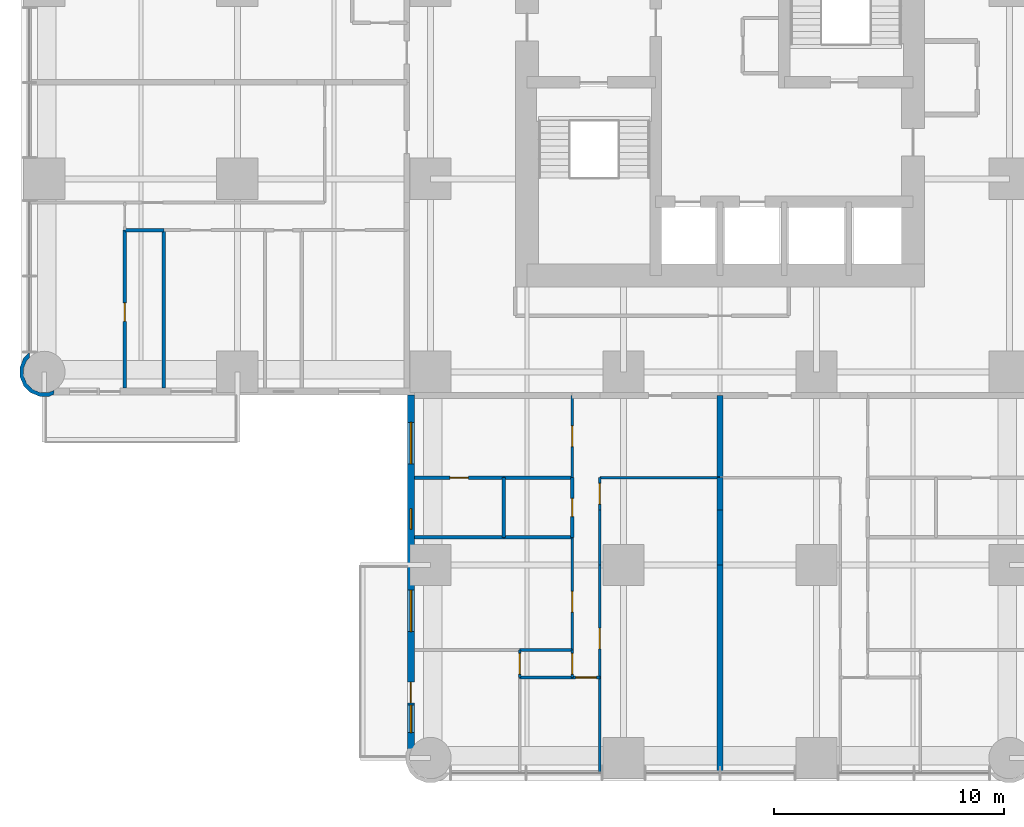
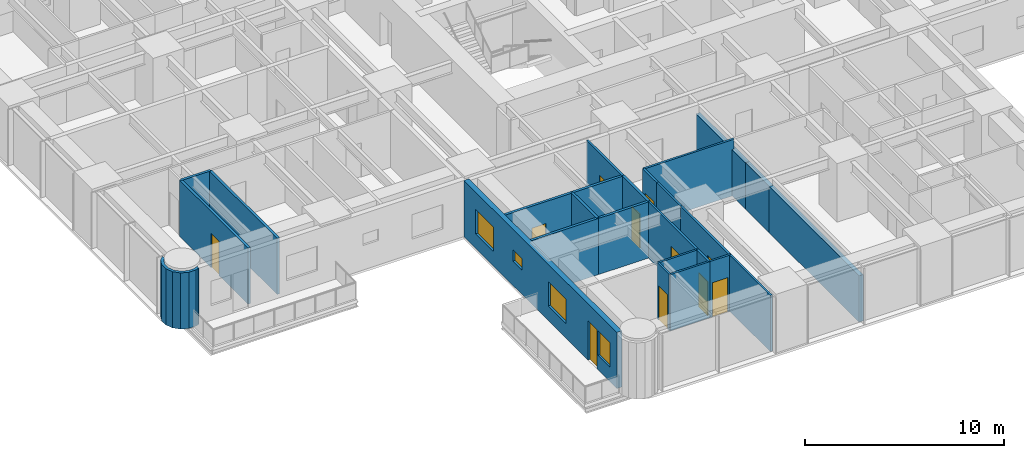
# One storey, part 7 of 17: 27 walls, 11 doors, 4 windows, 15 openings.
"""IFC4 building model written with IfcOpenShell, lengths in metres."""

from ifc_helpers import new_model, si_unit, direction, frame, frame_2d, origin, place, context, subcontext, project, spatial, polyline, rectangle, outline, extrude, material, layer, layer_set, type_object, element, fill, save


model = new_model("IFC4")

# Units and contexts
model_context = context("Model", 3, precision=1e-05, world=origin(), true_north=direction((0.0, 1.0)))
body_context = subcontext(model_context, "Body", "Model", "MODEL_VIEW")
ifc_project = project(units=[si_unit("LENGTHUNIT", "METRE"), si_unit("AREAUNIT", "SQUARE_METRE"), si_unit("VOLUMEUNIT", "CUBIC_METRE"), si_unit("PLANEANGLEUNIT", "RADIAN"), si_unit("MASSUNIT", "GRAM", prefix="KILO")], contexts=[model_context])

# Site, building, storey
site_placement = place(None, origin())
site = spatial("IfcSite", under=ifc_project, at=site_placement, CompositionType="ELEMENT")
building_placement = place(site_placement, origin())
building = spatial("IfcBuilding", under=site, at=building_placement, Name="Torre Alcanfor", CompositionType="ELEMENT")
storey_placement = place(building_placement, frame((0.0, 0.0, 38.10009765625)))
storey = spatial("IfcBuildingStorey", under=building, at=storey_placement, Name="L08", CompositionType="ELEMENT", Elevation=38.10009765625)

# Wall
ifc_material_1 = material(Name="Gypsum board on steel studs", Category="steel")
ifc_layer_1 = layer(ifc_material_1, 0.1201171875)
ifc_layer_set_1 = layer_set([ifc_layer_1], Name="Apartment partition 120")
wall_type_1 = type_object("IfcWallType", Name="Apartment partition 120", PredefinedType="PARTITIONING", material=ifc_layer_set_1)
wall_1_placement = place(storey_placement, frame((29.39990234375, 12.199951171875, 0.0), z_axis=(0.0, 0.0, 1.0), x_axis=(-1.0, 0.0, 0.0)))
element("IfcWall", 1, at=wall_1_placement, inside=storey, type_object=wall_type_1, Name="Partition L08-S2-ZAG / L08-S2-LAUND", PredefinedType="PARTITIONING", context=body_context, shape_type="SweptSolid", body=[
    extrude(rectangle(XDim=5.22900390625, YDim=0.1201171875, at=frame_2d((2.614501953125, 0.0))), origin(), (0.0, 0.0, 1.0), 3.449951171875),
])

# Wall, opening, door
wall_2_placement = place(storey_placement, frame((24.1708984375, 10.800048828125, 0.0), z_axis=(0.0, 0.0, 1.0), x_axis=(0.0, 1.0, 0.0)))
wall_2 = element("IfcWall", 2, at=wall_2_placement, inside=storey, type_object=wall_type_1, Name="Partition L08-S2-LAUND / L08-S2-HALL", PredefinedType="PARTITIONING", context=body_context, shape_type="SweptSolid", body=[
    extrude(rectangle(XDim=1.39990234375, YDim=0.1201171875, at=frame_2d((0.699951171875, 0.0))), origin(), (0.0, 0.0, 1.0), 3.449951171875),
])
opening_1_placement = place(wall_2_placement, frame((0.25, 0.0, 0.0)))
opening_1 = element("IfcOpeningElement", 3, at=opening_1_placement, cuts=wall_2, Name="Opening D-R1", PredefinedType="OPENING", context=body_context, shape_type="SweptSolid", body=[
    extrude(rectangle(XDim=0.89990234375, YDim=2.10009765625, at=frame_2d((0.449951171875, 1.050048828125))), frame((0.0, 0.070068359375, 0.0), z_axis=(0.0, -1.0, 0.0), x_axis=(1.0, 0.0, 0.0)), (0.0, 0.0, 1.0), 0.14013671875),
])
ifc_material_2 = material(Name="Timber", Category="wood")
door_type_1 = type_object("IfcDoorType", Name="Internal door 900x2100", OperationType="SINGLE_SWING_LEFT", PredefinedType="DOOR", material=ifc_material_2)
door_1_placement = place(opening_1_placement, frame((0.89990234375, 0.0, 0.0), z_axis=(0.0, 0.0, 1.0), x_axis=(-1.0, 0.0, 0.0)))
door_1 = element("IfcDoor", 4, at=door_1_placement, inside=storey, type_object=door_type_1, Name="Door L08-S2 laund", OperationType="SINGLE_SWING_RIGHT", OverallHeight=2.10009765625, OverallWidth=0.89990234375, PredefinedType="DOOR", context=body_context, shape_type="SweptSolid", body=[
    extrude(rectangle(XDim=0.89990234375, YDim=2.10009765625, at=frame_2d((0.449951171875, 1.050048828125))), frame((0.0, 0.025146484375, 0.0), z_axis=(0.0, -1.0, 0.0), x_axis=(1.0, 0.0, 0.0)), (0.0, 0.0, 1.0), 0.050048828125),
])
fill(opening_1, door_1)

# Wall
wall_3_placement = place(storey_placement, frame((24.1708984375, 8.39990234375, 0.0), z_axis=(0.0, 0.0, 1.0), x_axis=(0.0, 1.0, 0.0)))
element("IfcWall", 5, at=wall_3_placement, inside=storey, type_object=wall_type_1, Name="Partition L08-S2-KITCHEN / L08-S2-HALL", PredefinedType="PARTITIONING", context=body_context, shape_type="SweptSolid", body=[
    extrude(rectangle(XDim=2.400146484375, YDim=0.1201171875, at=frame_2d((1.2001953125, 0.0))), origin(), (0.0, 0.0, 1.0), 3.449951171875),
])

# Wall, opening, door
wall_4_placement = place(storey_placement, frame((24.1708984375, 3.5, 0.0), z_axis=(0.0, 0.0, 1.0), x_axis=(0.0, 1.0, 0.0)))
wall_4 = element("IfcWall", 6, at=wall_4_placement, inside=storey, type_object=wall_type_1, Name="Partition L08-S2-LIVING / L08-S2-HALL", PredefinedType="PARTITIONING", context=body_context, shape_type="SweptSolid", body=[
    extrude(rectangle(XDim=4.89990234375, YDim=0.1201171875, at=frame_2d((2.449951171875, 0.0))), origin(), (0.0, 0.0, 1.0), 3.449951171875),
])
opening_2_placement = place(wall_4_placement, frame((1.25, 0.0, 0.0)))
opening_2 = element("IfcOpeningElement", 7, at=opening_2_placement, cuts=wall_4, Name="Opening D-R1", PredefinedType="OPENING", context=body_context, shape_type="SweptSolid", body=[
    extrude(rectangle(XDim=0.89990234375, YDim=2.10009765625, at=frame_2d((0.449951171875, 1.050048828125))), frame((0.0, 0.070068359375, 0.0), z_axis=(0.0, -1.0, 0.0), x_axis=(1.0, 0.0, 0.0)), (0.0, 0.0, 1.0), 0.14013671875),
])
door_2_placement = place(opening_2_placement, frame((0.89990234375, 0.0, 0.0), z_axis=(0.0, 0.0, 1.0), x_axis=(-1.0, 0.0, 0.0)))
door_2 = element("IfcDoor", 8, at=door_2_placement, inside=storey, type_object=door_type_1, Name="Door L08-S2 living", OperationType="SINGLE_SWING_LEFT", OverallHeight=2.10009765625, OverallWidth=0.89990234375, PredefinedType="DOOR", context=body_context, shape_type="SweptSolid", body=[
    extrude(rectangle(XDim=0.89990234375, YDim=2.10009765625, at=frame_2d((0.449951171875, 1.050048828125))), frame((0.0, 0.025146484375, 0.0), z_axis=(0.0, -1.0, 0.0), x_axis=(1.0, 0.0, 0.0)), (0.0, 0.0, 1.0), 0.050048828125),
])
fill(opening_2, door_2)

# Wall
wall_5_placement = place(storey_placement, frame((24.1708984375, -0.64990234375, 0.0), z_axis=(0.0, 0.0, 1.0), x_axis=(0.0, 1.0, 0.0)))
element("IfcWall", 9, at=wall_5_placement, inside=storey, type_object=wall_type_1, Name="Partition L08-S2-LIVING / L08-S2-BED2", PredefinedType="PARTITIONING", context=body_context, shape_type="SweptSolid", body=[
    extrude(rectangle(XDim=4.14990234375, YDim=0.1201171875, at=frame_2d((2.074951171875, 0.0))), origin(), (0.0, 0.0, 1.0), 3.449951171875),
])

# Wall, opening, door
wall_6_placement = place(storey_placement, frame((22.970947265625, 12.199951171875, 0.0), z_axis=(0.0, 0.0, 1.0), x_axis=(0.0, 1.0, 0.0)))
wall_6 = element("IfcWall", 10, at=wall_6_placement, inside=storey, type_object=wall_type_1, Name="Partition L08-S2-HALL / L08-S2-SERV", PredefinedType="PARTITIONING", context=body_context, shape_type="SweptSolid", body=[
    extrude(rectangle(XDim=3.574951171875, YDim=0.1201171875, at=frame_2d((1.78759765625, 0.0))), origin(), (0.0, 0.0, 1.0), 3.449951171875),
])
opening_3_placement = place(wall_6_placement, frame((1.35009765625, 0.0, 0.0)))
opening_3 = element("IfcOpeningElement", 11, at=opening_3_placement, cuts=wall_6, Name="Opening D-R1", PredefinedType="OPENING", context=body_context, shape_type="SweptSolid", body=[
    extrude(rectangle(XDim=0.89990234375, YDim=2.10009765625, at=frame_2d((0.449951171875, 1.050048828125))), frame((0.0, 0.070068359375, 0.0), z_axis=(0.0, -1.0, 0.0), x_axis=(1.0, 0.0, 0.0)), (0.0, 0.0, 1.0), 0.14013671875),
])
door_3_placement = place(opening_3_placement, origin())
door_3 = element("IfcDoor", 12, at=door_3_placement, inside=storey, type_object=door_type_1, Name="Door L08-S2 serv", OperationType="SINGLE_SWING_RIGHT", OverallHeight=2.10009765625, OverallWidth=0.89990234375, PredefinedType="DOOR", context=body_context, shape_type="SweptSolid", body=[
    extrude(rectangle(XDim=0.89990234375, YDim=2.10009765625, at=frame_2d((0.449951171875, 1.050048828125))), frame((0.0, 0.02490234375, 0.0), z_axis=(0.0, -1.0, 0.0), x_axis=(1.0, 0.0, 0.0)), (0.0, 0.0, 1.0), 0.050048828125),
])
fill(opening_3, door_3)

wall_7_placement = place(storey_placement, frame((22.970947265625, 4.699951171875, 0.0), z_axis=(0.0, 0.0, 1.0), x_axis=(0.0, 1.0, 0.0)))
wall_7 = element("IfcWall", 13, at=wall_7_placement, inside=storey, type_object=wall_type_1, Name="Partition L08-S2-HALL / L08-S2-BED3", PredefinedType="PARTITIONING", context=body_context, shape_type="SweptSolid", body=[
    extrude(rectangle(XDim=4.900146484375, YDim=0.1201171875, at=frame_2d((2.4501953125, 0.0))), origin(), (0.0, 0.0, 1.0), 3.449951171875),
])
opening_4_placement = place(wall_7_placement, frame((1.64990234375, 0.0, 0.0)))
opening_4 = element("IfcOpeningElement", 14, at=opening_4_placement, cuts=wall_7, Name="Opening D-R1", PredefinedType="OPENING", context=body_context, shape_type="SweptSolid", body=[
    extrude(rectangle(XDim=0.89990234375, YDim=2.10009765625, at=frame_2d((0.449951171875, 1.050048828125))), frame((0.0, 0.070068359375, 0.0), z_axis=(0.0, -1.0, 0.0), x_axis=(1.0, 0.0, 0.0)), (0.0, 0.0, 1.0), 0.14013671875),
])
door_4_placement = place(opening_4_placement, origin())
door_4 = element("IfcDoor", 15, at=door_4_placement, inside=storey, type_object=door_type_1, Name="Door L08-S2 bed3", OperationType="SINGLE_SWING_LEFT", OverallHeight=2.10009765625, OverallWidth=0.89990234375, PredefinedType="DOOR", context=body_context, shape_type="SweptSolid", body=[
    extrude(rectangle(XDim=0.89990234375, YDim=2.10009765625, at=frame_2d((0.449951171875, 1.050048828125))), frame((0.0, 0.02490234375, 0.0), z_axis=(0.0, -1.0, 0.0), x_axis=(1.0, 0.0, 0.0)), (0.0, 0.0, 1.0), 0.050048828125),
])
fill(opening_4, door_4)

wall_8_placement = place(storey_placement, frame((22.970947265625, 3.5, 0.0), z_axis=(0.0, 0.0, 1.0), x_axis=(0.0, 1.0, 0.0)))
wall_8 = element("IfcWall", 16, at=wall_8_placement, inside=storey, type_object=wall_type_1, Name="Partition L08-S2-HALL / L08-S2-VEST", PredefinedType="PARTITIONING", context=body_context, shape_type="SweptSolid", body=[
    extrude(rectangle(XDim=1.199951171875, YDim=0.1201171875, at=frame_2d((0.60009765625, 0.0))), origin(), (0.0, 0.0, 1.0), 3.449951171875),
])
opening_5_placement = place(wall_8_placement, frame((0.14990234375, 0.0, 0.0)))
opening_5 = element("IfcOpeningElement", 17, at=opening_5_placement, cuts=wall_8, Name="Opening D-R1", PredefinedType="OPENING", context=body_context, shape_type="SweptSolid", body=[
    extrude(rectangle(XDim=0.89990234375, YDim=2.10009765625, at=frame_2d((0.449951171875, 1.050048828125))), frame((0.0, 0.070068359375, 0.0), z_axis=(0.0, -1.0, 0.0), x_axis=(1.0, 0.0, 0.0)), (0.0, 0.0, 1.0), 0.14013671875),
])
door_5_placement = place(opening_5_placement, origin())
door_5 = element("IfcDoor", 18, at=door_5_placement, inside=storey, type_object=door_type_1, Name="Door L08-S2 vest", OperationType="SINGLE_SWING_LEFT", OverallHeight=2.10009765625, OverallWidth=0.89990234375, PredefinedType="DOOR", context=body_context, shape_type="SweptSolid", body=[
    extrude(rectangle(XDim=0.89990234375, YDim=2.10009765625, at=frame_2d((0.449951171875, 1.050048828125))), frame((0.0, 0.02490234375, 0.0), z_axis=(0.0, -1.0, 0.0), x_axis=(1.0, 0.0, 0.0)), (0.0, 0.0, 1.0), 0.050048828125),
])
fill(opening_5, door_5)

wall_9_placement = place(storey_placement, frame((24.1708984375, 3.5, 0.0), z_axis=(0.0, 0.0, 1.0), x_axis=(-1.0, 0.0, 0.0)))
wall_9 = element("IfcWall", 19, at=wall_9_placement, inside=storey, type_object=wall_type_1, Name="Partition L08-S2-HALL / L08-S2-BED2", PredefinedType="PARTITIONING", context=body_context, shape_type="SweptSolid", body=[
    extrude(rectangle(XDim=1.199951171875, YDim=0.1201171875, at=frame_2d((0.60009765625, 0.0))), origin(), (0.0, 0.0, 1.0), 3.449951171875),
])
opening_6_placement = place(wall_9_placement, frame((0.15087890625, 0.0, 0.0)))
opening_6 = element("IfcOpeningElement", 20, at=opening_6_placement, cuts=wall_9, Name="Opening D-R1", PredefinedType="OPENING", context=body_context, shape_type="SweptSolid", body=[
    extrude(rectangle(XDim=0.89990234375, YDim=2.10009765625, at=frame_2d((0.449951171875, 1.050048828125))), frame((0.0, 0.070068359375, 0.0), z_axis=(0.0, -1.0, 0.0), x_axis=(1.0, 0.0, 0.0)), (0.0, 0.0, 1.0), 0.14013671875),
])
door_6_placement = place(opening_6_placement, origin())
door_6 = element("IfcDoor", 21, at=door_6_placement, inside=storey, type_object=door_type_1, Name="Door L08-S2 bed2", OperationType="SINGLE_SWING_LEFT", OverallHeight=2.10009765625, OverallWidth=0.89990234375, PredefinedType="DOOR", context=body_context, shape_type="SweptSolid", body=[
    extrude(rectangle(XDim=0.89990234375, YDim=2.10009765625, at=frame_2d((0.449951171875, 1.050048828125))), frame((0.0, 0.02490234375, 0.0), z_axis=(0.0, -1.0, 0.0), x_axis=(1.0, 0.0, 0.0)), (0.0, 0.0, 1.0), 0.050048828125),
])
fill(opening_6, door_6)

# Walls
for number, where, z_axis, x_axis, name in (
    (22, (22.970947265625, 4.699951171875, 0.0), (0.0, 0.0, 1.0), (-1.0, 0.0, 0.0), "Partition L08-S2-BED3 / L08-S2-VEST"),
    (23, (22.970947265625, 3.5, 0.0), (0.0, 0.0, 1.0), (-1.0, 0.0, 0.0), "Partition L08-S2-VEST / L08-S2-BED2"),
):
    element("IfcWall", number, at=place(storey_placement, frame(where, z_axis=z_axis, x_axis=x_axis)), inside=storey, type_object=wall_type_1, Name=name, PredefinedType="PARTITIONING", context=body_context, shape_type="SweptSolid", body=[
        extrude(rectangle(XDim=2.284912109375, YDim=0.1201171875, at=frame_2d((1.142578125, 0.0))), origin(), (0.0, 0.0, 1.0), 3.449951171875),
    ])

# Wall, opening, door
wall_10_placement = place(storey_placement, frame((20.68603515625, 3.5, 0.0), z_axis=(0.0, 0.0, 1.0), x_axis=(0.0, 1.0, 0.0)))
wall_10 = element("IfcWall", 24, at=wall_10_placement, inside=storey, type_object=wall_type_1, Name="Partition L08-S2-VEST / L08-S2-MASTER", PredefinedType="PARTITIONING", context=body_context, shape_type="SweptSolid", body=[
    extrude(rectangle(XDim=1.199951171875, YDim=0.1201171875, at=frame_2d((0.60009765625, 0.0))), origin(), (0.0, 0.0, 1.0), 3.449951171875),
])
opening_7_placement = place(wall_10_placement, frame((0.14990234375, 0.0, 0.0)))
opening_7 = element("IfcOpeningElement", 25, at=opening_7_placement, cuts=wall_10, Name="Opening D-R1", PredefinedType="OPENING", context=body_context, shape_type="SweptSolid", body=[
    extrude(rectangle(XDim=0.89990234375, YDim=2.10009765625, at=frame_2d((0.449951171875, 1.050048828125))), frame((0.0, 0.070068359375, 0.0), z_axis=(0.0, -1.0, 0.0), x_axis=(1.0, 0.0, 0.0)), (0.0, 0.0, 1.0), 0.14013671875),
])
door_7_placement = place(opening_7_placement, frame((0.89990234375, 0.0, 0.0), z_axis=(0.0, 0.0, 1.0), x_axis=(-1.0, 0.0, 0.0)))
door_7 = element("IfcDoor", 26, at=door_7_placement, inside=storey, type_object=door_type_1, Name="Door L08-S2 master", OperationType="SINGLE_SWING_RIGHT", OverallHeight=2.10009765625, OverallWidth=0.89990234375, PredefinedType="DOOR", context=body_context, shape_type="SweptSolid", body=[
    extrude(rectangle(XDim=0.89990234375, YDim=2.10009765625, at=frame_2d((0.449951171875, 1.050048828125))), frame((0.0, 0.025146484375, 0.0), z_axis=(0.0, -1.0, 0.0), x_axis=(1.0, 0.0, 0.0)), (0.0, 0.0, 1.0), 0.050048828125),
])
fill(opening_7, door_7)

# Wall, openings, door, windows
ifc_material_3 = material(Name="Limestone cladding", Category="masonry")
ifc_layer_2 = layer(ifc_material_3, 0.0400390625, Name="Facing")
ifc_material_4 = material(Name="Ventilated air cavity")
ifc_layer_3 = layer(ifc_material_4, 0.02001953125, ventilated=True, Name="Ventilated joint")
ifc_material_5 = material(Name="Mineral wool insulation", Category="insulation")
ifc_layer_4 = layer(ifc_material_5, 0.10009765625, Name="Insulation")
ifc_material_6 = material(Name="Concrete f'c 35 MPa", Category="concrete")
ifc_layer_5 = layer(ifc_material_6, 0.139892578125, Name="Backing")
ifc_layer_set_2 = layer_set([ifc_layer_2, ifc_layer_3, ifc_layer_4, ifc_layer_5], Name="External wall stone-clad 300")
wall_type_2 = type_object("IfcWallType", Name="External wall stone-clad 300", PredefinedType="SOLIDWALL", material=ifc_layer_set_2)
wall_11_placement = place(storey_placement, frame((15.949951171875, 15.800048828125, 0.0), z_axis=(0.0, 0.0, 1.0), x_axis=(0.0, -1.0, 0.0)))
wall_11 = element("IfcWall", 27, at=wall_11_placement, inside=storey, type_object=wall_type_2, Name="External wall L08 4", PredefinedType="SOLIDWALL", context=body_context, shape_type="SweptSolid", body=[
    extrude(rectangle(XDim=15.400146484375, YDim=0.300048828125, at=frame_2d((7.7001953125, 0.0))), origin(), (0.0, 0.0, 1.0), 3.449951171875),
])
opening_8_placement = place(wall_11_placement, frame((1.199951171875, 0.0, 0.89990234375)))
opening_8 = element("IfcOpeningElement", 28, at=opening_8_placement, cuts=wall_11, Name="Opening W2", PredefinedType="OPENING", context=body_context, shape_type="SweptSolid", body=[
    extrude(rectangle(XDim=1.800048828125, YDim=1.5, at=frame_2d((0.89990234375, 0.75))), frame((0.0, 0.159912109375, 0.0), z_axis=(0.0, -1.0, 0.0), x_axis=(1.0, 0.0, 0.0)), (0.0, 0.0, 1.0), 0.320068359375),
])
opening_9_placement = place(wall_11_placement, frame((4.949951171875, 0.0, 1.5)))
opening_9 = element("IfcOpeningElement", 29, at=opening_9_placement, cuts=wall_11, Name="Opening W3", PredefinedType="OPENING", context=body_context, shape_type="SweptSolid", body=[
    extrude(rectangle(XDim=0.89990234375, YDim=0.699951171875, at=frame_2d((0.449951171875, 0.35009765625))), frame((0.0, 0.159912109375, 0.0), z_axis=(0.0, -1.0, 0.0), x_axis=(1.0, 0.0, 0.0)), (0.0, 0.0, 1.0), 0.320068359375),
])
opening_10_placement = place(wall_11_placement, frame((8.5, 0.0, 0.89990234375)))
opening_10 = element("IfcOpeningElement", 30, at=opening_10_placement, cuts=wall_11, Name="Opening W2", PredefinedType="OPENING", context=body_context, shape_type="SweptSolid", body=[
    extrude(rectangle(XDim=1.800048828125, YDim=1.5, at=frame_2d((0.89990234375, 0.75))), frame((0.0, 0.159912109375, 0.0), z_axis=(0.0, -1.0, 0.0), x_axis=(1.0, 0.0, 0.0)), (0.0, 0.0, 1.0), 0.320068359375),
])
opening_11_placement = place(wall_11_placement, frame((12.5, 0.0, 0.0)))
opening_11 = element("IfcOpeningElement", 31, at=opening_11_placement, cuts=wall_11, Name="Opening D-B1", PredefinedType="OPENING", context=body_context, shape_type="SweptSolid", body=[
    extrude(rectangle(XDim=0.89990234375, YDim=2.39990234375, at=frame_2d((0.449951171875, 1.199951171875))), frame((0.0, 0.159912109375, 0.0), z_axis=(0.0, -1.0, 0.0), x_axis=(1.0, 0.0, 0.0)), (0.0, 0.0, 1.0), 0.320068359375),
])
opening_12_placement = place(wall_11_placement, frame((13.5, 0.0, 0.89990234375)))
opening_12 = element("IfcOpeningElement", 32, at=opening_12_placement, cuts=wall_11, Name="Opening W4", PredefinedType="OPENING", context=body_context, shape_type="SweptSolid", body=[
    extrude(rectangle(XDim=1.199951171875, YDim=1.5, at=frame_2d((0.60009765625, 0.75))), frame((0.0, 0.159912109375, 0.0), z_axis=(0.0, -1.0, 0.0), x_axis=(1.0, 0.0, 0.0)), (0.0, 0.0, 1.0), 0.320068359375),
])
ifc_material_7 = material(Name="Aluminium and glass", Category="aluminium")
door_type_2 = type_object("IfcDoorType", Name="Balcony door glazed 900x2400", OperationType="SINGLE_SWING_LEFT", PredefinedType="DOOR", material=ifc_material_7)
door_8_placement = place(opening_11_placement, origin())
door_8 = element("IfcDoor", 33, at=door_8_placement, inside=storey, type_object=door_type_2, Name="Balcony door L08-S2", OperationType="SINGLE_SWING_LEFT", OverallHeight=2.39990234375, OverallWidth=0.89990234375, PredefinedType="DOOR", context=body_context, shape_type="SweptSolid", body=[
    extrude(rectangle(XDim=0.89990234375, YDim=2.39990234375, at=frame_2d((0.449951171875, 1.199951171875))), frame((0.0, 0.02490234375, 0.0), z_axis=(0.0, -1.0, 0.0), x_axis=(1.0, 0.0, 0.0)), (0.0, 0.0, 1.0), 0.050048828125),
])
fill(opening_11, door_8)
ifc_material_8 = material(Name="Aluminium frame with clear double glazing", Category="aluminium")
window_type_1 = type_object("IfcWindowType", Name="Window bathroom 900x700", PartitioningType="SINGLE_PANEL", PredefinedType="WINDOW", material=ifc_material_8)
window_1_placement = place(opening_9_placement, origin())
window_1 = element("IfcWindow", 34, at=window_1_placement, inside=storey, type_object=window_type_1, Name="Window W3 L08-S2", OverallHeight=0.699951171875, OverallWidth=0.89990234375, PartitioningType="SINGLE_PANEL", PredefinedType="WINDOW", context=body_context, shape_type="SweptSolid", body=[
    extrude(rectangle(XDim=0.89990234375, YDim=0.699951171875, at=frame_2d((0.449951171875, 0.35009765625))), frame((0.0, 0.030029296875, 0.0), z_axis=(0.0, -1.0, 0.0), x_axis=(1.0, 0.0, 0.0)), (0.0, 0.0, 1.0), 0.06005859375),
])
fill(opening_9, window_1)
ifc_material_9 = material(Name="Aluminium frame with clear double glazing", Category="aluminium")
window_type_2 = type_object("IfcWindowType", Name="Window bedroom 1200x1500", PartitioningType="SINGLE_PANEL", PredefinedType="WINDOW", material=ifc_material_9)
window_2_placement = place(opening_12_placement, origin())
window_2 = element("IfcWindow", 35, at=window_2_placement, inside=storey, type_object=window_type_2, Name="Window W4 L08-S2", OverallHeight=1.5, OverallWidth=1.199951171875, PartitioningType="SINGLE_PANEL", PredefinedType="WINDOW", context=body_context, shape_type="SweptSolid", body=[
    extrude(rectangle(XDim=1.199951171875, YDim=1.5, at=frame_2d((0.60009765625, 0.75))), frame((0.0, 0.030029296875, 0.0), z_axis=(0.0, -1.0, 0.0), x_axis=(1.0, 0.0, 0.0)), (0.0, 0.0, 1.0), 0.06005859375),
])
fill(opening_12, window_2)
ifc_material_10 = material(Name="Aluminium frame with clear double glazing", Category="aluminium")
window_type_3 = type_object("IfcWindowType", Name="Window bedroom 1800x1500", PartitioningType="SINGLE_PANEL", PredefinedType="WINDOW", material=ifc_material_10)
window_3_placement = place(opening_8_placement, origin())
window_3 = element("IfcWindow", 36, at=window_3_placement, inside=storey, type_object=window_type_3, Name="Window W2 L08-S2", OverallHeight=1.5, OverallWidth=1.800048828125, PartitioningType="SINGLE_PANEL", PredefinedType="WINDOW", context=body_context, shape_type="SweptSolid", body=[
    extrude(rectangle(XDim=1.800048828125, YDim=1.5, at=frame_2d((0.89990234375, 0.75))), frame((0.0, 0.030029296875, 0.0), z_axis=(0.0, -1.0, 0.0), x_axis=(1.0, 0.0, 0.0)), (0.0, 0.0, 1.0), 0.06005859375),
])
fill(opening_8, window_3)
window_4_placement = place(opening_10_placement, origin())
window_4 = element("IfcWindow", 37, at=window_4_placement, inside=storey, type_object=window_type_3, Name="Window W2 L08-S2", OverallHeight=1.5, OverallWidth=1.800048828125, PartitioningType="SINGLE_PANEL", PredefinedType="WINDOW", context=body_context, shape_type="SweptSolid", body=[
    extrude(rectangle(XDim=1.800048828125, YDim=1.5, at=frame_2d((0.89990234375, 0.75))), frame((0.0, 0.030029296875, 0.0), z_axis=(0.0, -1.0, 0.0), x_axis=(1.0, 0.0, 0.0)), (0.0, 0.0, 1.0), 0.06005859375),
])
fill(opening_10, window_4)

# Walls
ifc_material_11 = material(Name="Concrete block masonry, hollow blocks NMX-C-404 9 MPa", Category="masonry")
ifc_layer_6 = layer(ifc_material_11, 0.25)
ifc_layer_set_3 = layer_set([ifc_layer_6], Name="Party wall 250 EI 60")
wall_type_3 = type_object("IfcWallType", Name="Party wall 250 EI 60", PredefinedType="PARTITIONING", material=ifc_layer_set_3)
wall_12_placement = place(storey_placement, frame((29.39990234375, 15.77490234375, 0.0), z_axis=(0.0, 0.0, 1.0), x_axis=(0.0, -1.0, 0.0)))
element("IfcWall", 38, at=wall_12_placement, inside=storey, type_object=wall_type_3, Name="Partition L08-S1-ZAG / L08-S2-ZAG", PredefinedType="PARTITIONING", context=body_context, shape_type="SweptSolid", body=[
    extrude(rectangle(XDim=3.574951171875, YDim=0.25, at=frame_2d((1.78759765625, 0.0))), origin(), (0.0, 0.0, 1.0), 2.847900390625),
])
wall_13_placement = place(storey_placement, frame((29.39990234375, 12.199951171875, 0.0), z_axis=(0.0, 0.0, 1.0), x_axis=(0.0, -1.0, 0.0)))
element("IfcWall", 39, at=wall_13_placement, inside=storey, type_object=wall_type_3, Name="Partition L08-S1-LAUND / L08-S2-LAUND", PredefinedType="PARTITIONING", context=body_context, shape_type="SweptSolid", body=[
    extrude(rectangle(XDim=1.39990234375, YDim=0.25, at=frame_2d((0.699951171875, 0.0))), origin(), (0.0, 0.0, 1.0), 2.847900390625),
])
wall_14_placement = place(storey_placement, frame((29.39990234375, 10.800048828125, 0.0), z_axis=(0.0, 0.0, 1.0), x_axis=(0.0, -1.0, 0.0)))
element("IfcWall", 40, at=wall_14_placement, inside=storey, type_object=wall_type_3, Name="Partition L08-S1-KITCHEN / L08-S2-KITCHEN", PredefinedType="PARTITIONING", context=body_context, shape_type="SweptSolid", body=[
    extrude(rectangle(XDim=2.400146484375, YDim=0.25, at=frame_2d((1.2001953125, 0.0))), origin(), (0.0, 0.0, 1.0), 2.847900390625),
])
wall_15_placement = place(storey_placement, frame((29.39990234375, 8.39990234375, 0.0), z_axis=(0.0, 0.0, 1.0), x_axis=(0.0, -1.0, 0.0)))
element("IfcWall", 41, at=wall_15_placement, inside=storey, type_object=wall_type_3, Name="Partition L08-S1-LIVING / L08-S2-LIVING", PredefinedType="PARTITIONING", context=body_context, shape_type="SweptSolid", body=[
    extrude(rectangle(XDim=9.0498046875, YDim=0.25, at=frame_2d((4.52490234375, 0.0))), origin(), (0.0, 0.0, 1.0), 2.847900390625),
])
ifc_layer_7 = layer(ifc_material_3, 0.0400390625, Name="Facing")
ifc_layer_8 = layer(ifc_material_4, 0.02001953125, ventilated=True, Name="Ventilated joint")
ifc_layer_9 = layer(ifc_material_5, 0.10009765625, Name="Insulation")
ifc_layer_10 = layer(ifc_material_6, 0.139892578125, Name="Backing")
ifc_layer_set_4 = layer_set([ifc_layer_7, ifc_layer_8, ifc_layer_9, ifc_layer_10], Name="Rounded corner pier stone-clad 300")
wall_type_4 = type_object("IfcWallType", Name="Rounded corner pier stone-clad 300", PredefinedType="SOLIDWALL", material=ifc_layer_set_4)
wall_16_placement = place(storey_placement, frame((-0.610519256, 17.56659392, 0.0), z_axis=(0.0, 0.0, 1.0), x_axis=(-0.926129809145, -0.377204953059, 0.0)))
element("IfcWall", 42, at=wall_16_placement, inside=storey, type_object=wall_type_4, Name="Corner pier L08 14", PredefinedType="SOLIDWALL", context=body_context, shape_type="SweptSolid", body=[
    extrude(outline(polyline([(-0.2694320048751383, 2.0171861008885523), (-0.3700526678318482, 1.8406866495551875), (-0.10232913830325796, 1.8423628952563784), (0.22959433821660935, 1.7071732294627), (0.4846648868960458, 1.4551341488862783), (0.6237723089217844, 1.1248457008471362), (0.6256501657648526, 0.7663568996565957), (0.49046049997117414, 0.4344334231367283), (0.2387396163581813, 0.17949688931473468), (0.09014163443691028, 0.11691195088889664), (0.010851237809964043, -0.07776523799639344), (0.024417592436116662, -0.08329070117597158), (0.32956848036437986, 0.045229547111777235), (0.4801338191951393, 0.19743274075920003), (0.4990091877024963, 0.1926447125875501), (0.5075557555746872, 0.2252788612711387), (0.6260018077392729, 0.3452223941390844), (0.7850430562581303, 0.7357073014618439), (0.782472278983801, 1.15721841463542), (0.6187061231885674, 1.5460551039454697), (0.3187132761612602, 1.8424884313203629), (-0.07154552525106339, 2.0014375887862275), (-0.2401131340992967, 2.00049972024067), (-0.2694320048751383, 2.0171861008885523)])), origin(), (0.0, 0.0, 1.0), 3.449951171875),
])

# Wall, opening, door
ifc_material_12 = material(Name="Cement board on steel studs", Category="steel")
ifc_layer_11 = layer(ifc_material_12, 0.14990234375)
ifc_layer_set_5 = layer_set([ifc_layer_11], Name="Wet area partition 150")
wall_type_5 = type_object("IfcWallType", Name="Wet area partition 150", PredefinedType="PARTITIONING", material=ifc_layer_set_5)
wall_17_placement = place(storey_placement, frame((22.970947265625, 9.60009765625, 0.0), z_axis=(0.0, 0.0, 1.0), x_axis=(0.0, 1.0, 0.0)))
wall_17 = element("IfcWall", 43, at=wall_17_placement, inside=storey, type_object=wall_type_5, Name="Partition L08-S2-HALL / L08-S2-BATH1", PredefinedType="PARTITIONING", context=body_context, shape_type="SweptSolid", body=[
    extrude(rectangle(XDim=2.599853515625, YDim=0.14990234375, at=frame_2d((1.2998046875, 0.0))), origin(), (0.0, 0.0, 1.0), 3.449951171875),
])
opening_13_placement = place(wall_17_placement, frame((0.89990234375, 0.0, 0.0)))
opening_13 = element("IfcOpeningElement", 44, at=opening_13_placement, cuts=wall_17, Name="Opening D-R2", PredefinedType="OPENING", context=body_context, shape_type="SweptSolid", body=[
    extrude(rectangle(XDim=0.800048828125, YDim=2.10009765625, at=frame_2d((0.39990234375, 1.050048828125))), frame((0.0, 0.0849609375, 0.0), z_axis=(0.0, -1.0, 0.0), x_axis=(1.0, 0.0, 0.0)), (0.0, 0.0, 1.0), 0.169921875),
])
ifc_material_13 = material(Name="Timber", Category="wood")
door_type_3 = type_object("IfcDoorType", Name="Bathroom door 800x2100", OperationType="SINGLE_SWING_LEFT", PredefinedType="DOOR", material=ifc_material_13)
door_9_placement = place(opening_13_placement, origin())
door_9 = element("IfcDoor", 45, at=door_9_placement, inside=storey, type_object=door_type_3, Name="Door L08-S2 bath1", OperationType="SINGLE_SWING_LEFT", OverallHeight=2.10009765625, OverallWidth=0.800048828125, PredefinedType="DOOR", context=body_context, shape_type="SweptSolid", body=[
    extrude(rectangle(XDim=0.800048828125, YDim=2.10009765625, at=frame_2d((0.39990234375, 1.050048828125))), frame((0.0, 0.02490234375, 0.0), z_axis=(0.0, -1.0, 0.0), x_axis=(1.0, 0.0, 0.0)), (0.0, 0.0, 1.0), 0.050048828125),
])
fill(opening_13, door_9)

# Wall
wall_18_placement = place(storey_placement, frame((22.970947265625, 12.199951171875, 0.0), z_axis=(0.0, 0.0, 1.0), x_axis=(-1.0, 0.0, 0.0)))
element("IfcWall", 46, at=wall_18_placement, inside=storey, type_object=wall_type_5, Name="Partition L08-S2-SERV / L08-S2-BATH1", PredefinedType="PARTITIONING", context=body_context, shape_type="SweptSolid", body=[
    extrude(rectangle(XDim=2.970947265625, YDim=0.14990234375, at=frame_2d((1.4853515625, 0.0))), origin(), (0.0, 0.0, 1.0), 3.449951171875),
])

# Wall, opening, door
wall_19_placement = place(storey_placement, frame((20.0, 12.199951171875, 0.0), z_axis=(0.0, 0.0, 1.0), x_axis=(-1.0, 0.0, 0.0)))
wall_19 = element("IfcWall", 47, at=wall_19_placement, inside=storey, type_object=wall_type_5, Name="Partition L08-S2-SERV / L08-S2-SBATH", PredefinedType="PARTITIONING", context=body_context, shape_type="SweptSolid", body=[
    extrude(rectangle(XDim=3.89990234375, YDim=0.14990234375, at=frame_2d((1.949951171875, 0.0))), origin(), (0.0, 0.0, 1.0), 3.449951171875),
])
opening_14_placement = place(wall_19_placement, frame((1.550048828125, 0.0, 0.0)))
opening_14 = element("IfcOpeningElement", 48, at=opening_14_placement, cuts=wall_19, Name="Opening D-R2", PredefinedType="OPENING", context=body_context, shape_type="SweptSolid", body=[
    extrude(rectangle(XDim=0.800048828125, YDim=2.10009765625, at=frame_2d((0.39990234375, 1.050048828125))), frame((0.0, 0.0849609375, 0.0), z_axis=(0.0, -1.0, 0.0), x_axis=(1.0, 0.0, 0.0)), (0.0, 0.0, 1.0), 0.169921875),
])
door_10_placement = place(opening_14_placement, origin())
door_10 = element("IfcDoor", 49, at=door_10_placement, inside=storey, type_object=door_type_3, Name="Door L08-S2 sbath", OperationType="SINGLE_SWING_LEFT", OverallHeight=2.10009765625, OverallWidth=0.800048828125, PredefinedType="DOOR", context=body_context, shape_type="SweptSolid", body=[
    extrude(rectangle(XDim=0.800048828125, YDim=2.10009765625, at=frame_2d((0.39990234375, 1.050048828125))), frame((0.0, 0.02490234375, 0.0), z_axis=(0.0, -1.0, 0.0), x_axis=(1.0, 0.0, 0.0)), (0.0, 0.0, 1.0), 0.050048828125),
])
fill(opening_14, door_10)

# Walls
wall_20_placement = place(storey_placement, frame((20.0, 9.60009765625, 0.0), z_axis=(0.0, 0.0, 1.0), x_axis=(0.0, 1.0, 0.0)))
element("IfcWall", 50, at=wall_20_placement, inside=storey, type_object=wall_type_5, Name="Partition L08-S2-BATH1 / L08-S2-SBATH", PredefinedType="PARTITIONING", context=body_context, shape_type="SweptSolid", body=[
    extrude(rectangle(XDim=2.599853515625, YDim=0.14990234375, at=frame_2d((1.2998046875, 0.0))), origin(), (0.0, 0.0, 1.0), 3.449951171875),
])
wall_21_placement = place(storey_placement, frame((22.970947265625, 9.60009765625, 0.0), z_axis=(0.0, 0.0, 1.0), x_axis=(-1.0, 0.0, 0.0)))
element("IfcWall", 51, at=wall_21_placement, inside=storey, type_object=wall_type_5, Name="Partition L08-S2-BATH1 / L08-S2-BED3", PredefinedType="PARTITIONING", context=body_context, shape_type="SweptSolid", body=[
    extrude(rectangle(XDim=2.970947265625, YDim=0.14990234375, at=frame_2d((1.4853515625, 0.0))), origin(), (0.0, 0.0, 1.0), 3.449951171875),
])
wall_22_placement = place(storey_placement, frame((20.0, 9.60009765625, 0.0), z_axis=(0.0, 0.0, 1.0), x_axis=(-1.0, 0.0, 0.0)))
element("IfcWall", 52, at=wall_22_placement, inside=storey, type_object=wall_type_5, Name="Partition L08-S2-SBATH / L08-S2-BED3", PredefinedType="PARTITIONING", context=body_context, shape_type="SweptSolid", body=[
    extrude(rectangle(XDim=3.89990234375, YDim=0.14990234375, at=frame_2d((1.949951171875, 0.0))), origin(), (0.0, 0.0, 1.0), 3.449951171875),
])
wall_23_placement = place(storey_placement, frame((3.5, 22.970947265625, 0.0), z_axis=(0.0, 0.0, 1.0), x_axis=(1.0, 0.0, 0.0)))
element("IfcWall", 53, at=wall_23_placement, inside=storey, type_object=wall_type_5, Name="Partition L08-W1-HALL / L08-W1-ENSBATH", PredefinedType="PARTITIONING", context=body_context, shape_type="SweptSolid", body=[
    extrude(rectangle(XDim=1.699951171875, YDim=0.14990234375, at=frame_2d((0.85009765625, 0.0))), origin(), (0.0, 0.0, 1.0), 3.449951171875),
])
wall_24_placement = place(storey_placement, frame((5.199951171875, 22.970947265625, 0.0), z_axis=(0.0, 0.0, 1.0), x_axis=(0.0, -1.0, 0.0)))
element("IfcWall", 54, at=wall_24_placement, inside=storey, type_object=wall_type_5, Name="Partition L08-W1-BED2 / L08-W1-ENSBATH", PredefinedType="PARTITIONING", context=body_context, shape_type="SweptSolid", body=[
    extrude(rectangle(XDim=6.870849609375, YDim=0.14990234375, at=frame_2d((3.435546875, 0.0))), origin(), (0.0, 0.0, 1.0), 3.449951171875),
])

# Wall, opening, door
wall_25_placement = place(storey_placement, frame((3.5, 22.970947265625, 0.0), z_axis=(0.0, 0.0, 1.0), x_axis=(0.0, -1.0, 0.0)))
wall_25 = element("IfcWall", 55, at=wall_25_placement, inside=storey, type_object=wall_type_5, Name="Partition L08-W1-ENSBATH / L08-W1-MASTER", PredefinedType="PARTITIONING", context=body_context, shape_type="SweptSolid", body=[
    extrude(rectangle(XDim=6.870849609375, YDim=0.14990234375, at=frame_2d((3.435546875, 0.0))), origin(), (0.0, 0.0, 1.0), 3.449951171875),
])
opening_15_placement = place(wall_25_placement, frame((3.1708984375, 0.0, 0.0)))
opening_15 = element("IfcOpeningElement", 56, at=opening_15_placement, cuts=wall_25, Name="Opening D-R2", PredefinedType="OPENING", context=body_context, shape_type="SweptSolid", body=[
    extrude(rectangle(XDim=0.800048828125, YDim=2.10009765625, at=frame_2d((0.39990234375, 1.050048828125))), frame((0.0, 0.0849609375, 0.0), z_axis=(0.0, -1.0, 0.0), x_axis=(1.0, 0.0, 0.0)), (0.0, 0.0, 1.0), 0.169921875),
])
door_11_placement = place(opening_15_placement, origin())
door_11 = element("IfcDoor", 57, at=door_11_placement, inside=storey, type_object=door_type_3, Name="Door L08-W1 ensbath", OperationType="SINGLE_SWING_RIGHT", OverallHeight=2.10009765625, OverallWidth=0.800048828125, PredefinedType="DOOR", context=body_context, shape_type="SweptSolid", body=[
    extrude(rectangle(XDim=0.800048828125, YDim=2.10009765625, at=frame_2d((0.39990234375, 1.050048828125))), frame((0.0, 0.02490234375, 0.0), z_axis=(0.0, -1.0, 0.0), x_axis=(1.0, 0.0, 0.0)), (0.0, 0.0, 1.0), 0.050048828125),
])
fill(opening_15, door_11)

save(model, "model.ifc")
